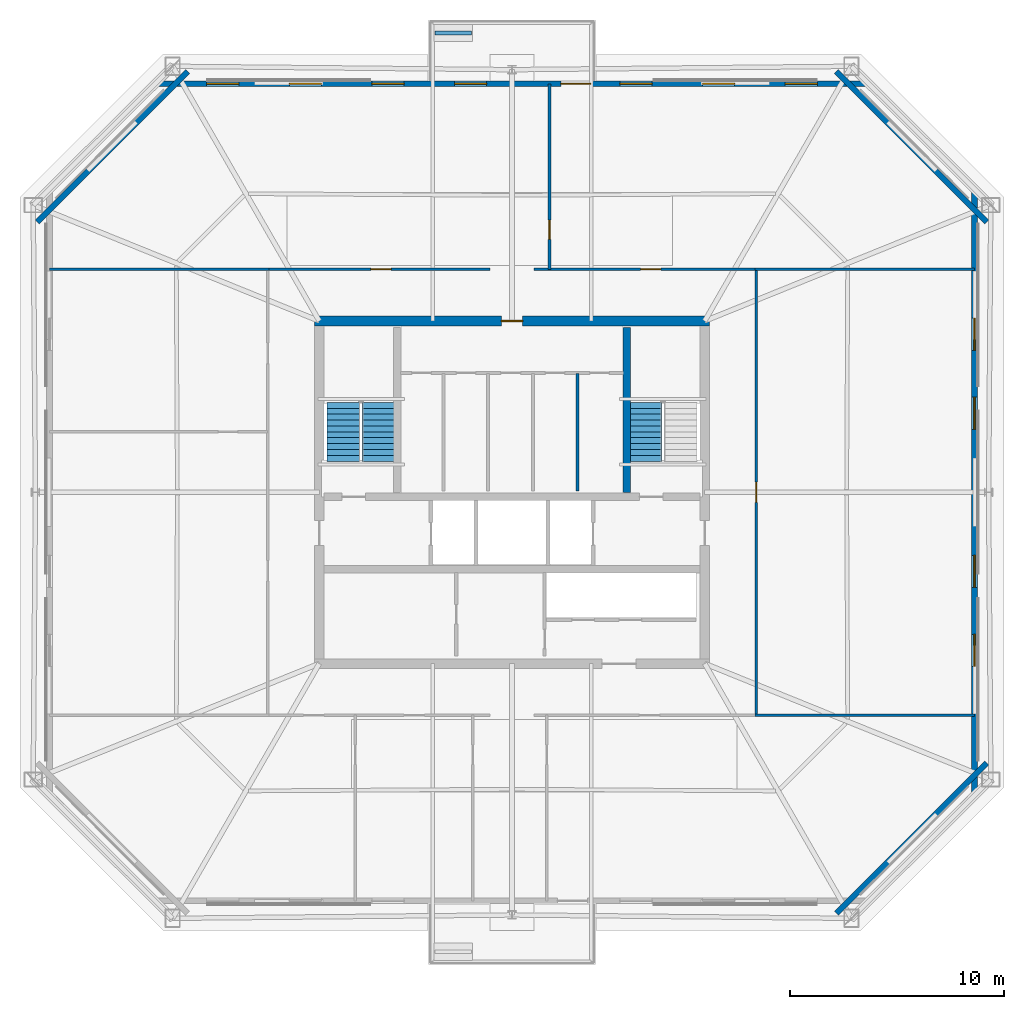
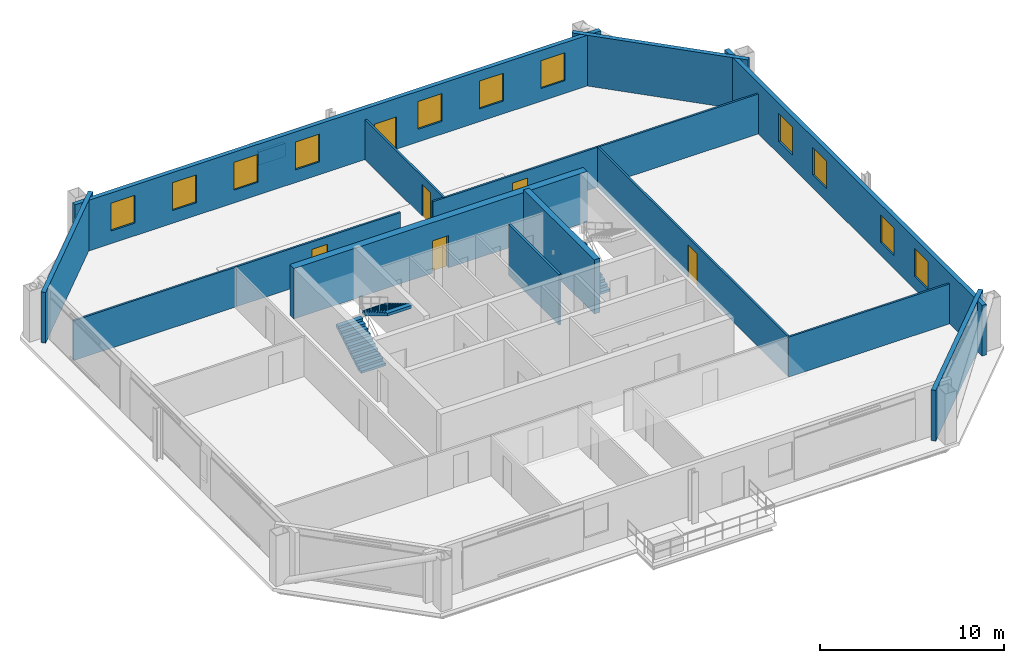
# One storey, part 4 of 7: 16 walls, 11 windows, 6 doors, 3 stair flights, 17 openings, 2 elements without a shape of their own.
"""IFC4 building model written with IfcOpenShell, lengths in metres."""

from ifc_helpers import new_model, si_unit, direction, frame, frame_2d, origin, place, context, subcontext, project, spatial, polyline, rectangle, outline, extrude, material, layer, layer_set, type_object, element, fill, aggregate, save


model = new_model("IFC4")

# Units and contexts
model_context = context("Model", 3, precision=1e-05, world=origin(), true_north=direction((0.0, 1.0)))
body_context = subcontext(model_context, "Body", "Model", "MODEL_VIEW")
ifc_project = project(units=[si_unit("LENGTHUNIT", "METRE"), si_unit("AREAUNIT", "SQUARE_METRE"), si_unit("VOLUMEUNIT", "CUBIC_METRE"), si_unit("PLANEANGLEUNIT", "RADIAN"), si_unit("MASSUNIT", "GRAM", prefix="KILO")], contexts=[model_context])

# Site, building, storey
site_placement = place(None, origin())
site = spatial("IfcSite", under=ifc_project, at=site_placement, CompositionType="ELEMENT")
building_placement = place(site_placement, origin())
building = spatial("IfcBuilding", under=site, at=building_placement, Name="Caelvoria Tower", CompositionType="ELEMENT")
storey_placement = place(building_placement, frame((0.0, 0.0, 191.39990234375)))
storey = spatial("IfcBuildingStorey", under=building, at=storey_placement, Name="L50", CompositionType="ELEMENT", Elevation=191.39990234375)

# Walls
ifc_material_1 = material(Name="Bronze-Clad Concrete C40/50", Category="concrete")
ifc_layer_1 = layer(ifc_material_1, 0.179931640625, Name="Bronze-Clad Concrete C40/50")
ifc_layer_set_1 = layer_set([ifc_layer_1], Name="Architectural Planter Kerb Wall 180 - Bronze-Clad Concrete C40/50")
wall_type_1 = type_object("IfcWallType", Name="Architectural Planter Kerb Wall 180", PredefinedType="PARAPET", material=ifc_layer_set_1)
wall_1_placement = place(storey_placement, frame((42.39990234375, 53.4599609375, 0.0), z_axis=(0.0, 0.0, 1.0), x_axis=(1.0, 0.0, 0.0)))
element("IfcWall", 1, at=wall_1_placement, inside=storey, type_object=wall_type_1, Name="Tree Balcony Planter Kerb PLANTER TB-L50-N", PredefinedType="PARAPET", context=body_context, shape_type="SweptSolid", body=[
    extrude(rectangle(XDim=1.7001953125, YDim=0.179931640625, at=frame_2d((0.85009765625, 0.0))), origin(), (0.0, 0.0, 1.0), 0.880126953125),
])
ifc_material_2 = material(Name="Concrete C50/60", Category="concrete")
ifc_layer_2 = layer(ifc_material_2, 0.35009765625, Name="Concrete C50/60")
ifc_layer_set_2 = layer_set([ifc_layer_2], Name="Core Internal Shear Wall 350 - Concrete C50/60")
wall_type_2 = type_object("IfcWallType", Name="Core Internal Shear Wall 350", PredefinedType="SHEAR", material=ifc_layer_set_2)
wall_2_placement = place(storey_placement, frame((51.35009765625, 32.0, 0.0), z_axis=(0.0, 0.0, 1.0), x_axis=(0.0, 1.0, 0.0)))
element("IfcWall", 2, at=wall_2_placement, inside=storey, type_object=wall_type_2, Name="Interior Partition IW-L50-ST2W", PredefinedType="SHEAR", context=body_context, shape_type="SweptSolid", body=[
    extrude(rectangle(XDim=7.699951171875, YDim=0.35009765625, at=frame_2d((3.85009765625, 0.0))), origin(), (0.0, 0.0, 1.0), 3.60009765625),
])
ifc_material_3 = material(Name="Moisture-Resistant Gypsum on Steel Stud", Category="steel")
ifc_layer_3 = layer(ifc_material_3, 0.139892578125, Name="Moisture-Resistant Gypsum on Steel Stud")
ifc_layer_set_3 = layer_set([ifc_layer_3], Name="Core Sanitary Acoustic Partition Wall 140 - Moisture-Resistant Gypsum on Steel Stud")
wall_type_3 = type_object("IfcWallType", Name="Core Sanitary Acoustic Partition Wall 140", PredefinedType="PARTITIONING", material=ifc_layer_set_3)
wall_3_placement = place(storey_placement, frame((49.050048828125, 32.050048828125, 0.0), z_axis=(0.0, 0.0, 1.0), x_axis=(0.0, 1.0, 0.0)))
element("IfcWall", 3, at=wall_3_placement, inside=storey, type_object=wall_type_3, Name="Interior Partition IW-L50-C1V3", PredefinedType="PARTITIONING", context=body_context, shape_type="SweptSolid", body=[
    extrude(rectangle(XDim=5.5, YDim=0.139892578125, at=frame_2d((2.75, 0.0))), origin(), (0.0, 0.0, 1.0), 3.375),
])

# Wall, opening, door
ifc_material_4 = material(Name="Acoustic Gypsum Board on Light-Gauge Stud", Category="gypsum")
ifc_layer_4 = layer(ifc_material_4, 0.1201171875, Name="Acoustic Gypsum Board on Light-Gauge Stud")
ifc_layer_set_4 = layer_set([ifc_layer_4], Name="Tenant Suite Acoustic Partition Wall 120 - Acoustic Gypsum Board on Light-Gauge Stud")
wall_type_4 = type_object("IfcWallType", Name="Tenant Suite Acoustic Partition Wall 120", PredefinedType="PARTITIONING", material=ifc_layer_set_4)
wall_4_placement = place(storey_placement, frame((47.75146484375, 42.409912109375, 0.0), z_axis=(0.0, 0.0, 1.0), x_axis=(0.0, 1.0, 0.0)))
wall_4 = element("IfcWall", 4, at=wall_4_placement, inside=storey, type_object=wall_type_4, Name="Interior Partition IW-L50-ND-00-0", PredefinedType="PARTITIONING", context=body_context, shape_type="SweptSolid", body=[
    extrude(rectangle(XDim=8.670166015625, YDim=0.1201171875, at=frame_2d((4.3349609375, 0.0))), origin(), (0.0, 0.0, 1.0), 2.655029296875),
])
opening_1_placement = place(wall_4_placement, frame((1.39990234375, 0.0, 0.0)))
opening_1 = element("IfcOpeningElement", 5, at=opening_1_placement, cuts=wall_4, Name="Opening ID-06", PredefinedType="OPENING", context=body_context, shape_type="SweptSolid", body=[
    extrude(rectangle(XDim=0.89990234375, YDim=2.14990234375, at=frame_2d((0.449951171875, 1.074951171875))), frame((0.0, 0.070068359375, 0.0), z_axis=(0.0, -1.0, 0.0), x_axis=(1.0, 0.0, 0.0)), (0.0, 0.0, 1.0), 0.14013671875),
])
ifc_material_5 = material(Name="Engineered Andean Oak Veneer Door", Category="wood")
door_type_1 = type_object("IfcDoorType", Name="Interior Timber Door 900x2150", OperationType="NOTDEFINED", PredefinedType="DOOR", material=ifc_material_5)
door_1_placement = place(opening_1_placement, origin())
door_1 = element("IfcDoor", 6, at=door_1_placement, inside=storey, type_object=door_type_1, Name="Interior Door DR-L50-NM-00-0", OperationType="SINGLE_SWING_RIGHT", OverallHeight=2.14990234375, OverallWidth=0.89990234375, PredefinedType="DOOR", context=body_context, shape_type="SweptSolid", body=[
    extrude(rectangle(XDim=0.89990234375, YDim=2.14990234375, at=frame_2d((0.449951171875, 1.074951171875))), frame((0.0, 0.02490234375, 0.0), z_axis=(0.0, -1.0, 0.0), x_axis=(1.0, 0.0, 0.0)), (0.0, 0.0, 1.0), 0.050048828125),
])
fill(opening_1, door_1)

wall_5_placement = place(storey_placement, frame((34.64990234375, 42.409912109375, 0.0), z_axis=(0.0, 0.0, 1.0), x_axis=(1.0, 0.0, 0.0)))
wall_5 = element("IfcWall", 7, at=wall_5_placement, inside=storey, type_object=wall_type_4, Name="Interior Partition IW-L50-NCW-0", PredefinedType="PARTITIONING", context=body_context, shape_type="SweptSolid", body=[
    extrude(rectangle(XDim=10.330078125, YDim=0.1201171875, at=frame_2d((5.1650390625, 0.0))), origin(), (0.0, 0.0, 1.0), 2.655029296875),
])
opening_2_placement = place(wall_5_placement, frame((4.760009765625, 0.0, 0.0)))
opening_2 = element("IfcOpeningElement", 8, at=opening_2_placement, cuts=wall_5, Name="Opening ID-05", PredefinedType="OPENING", context=body_context, shape_type="SweptSolid", body=[
    extrude(rectangle(XDim=0.949951171875, YDim=2.14990234375, at=frame_2d((0.47509765625, 1.074951171875))), frame((0.0, 0.070068359375, 0.0), z_axis=(0.0, -1.0, 0.0), x_axis=(1.0, 0.0, 0.0)), (0.0, 0.0, 1.0), 0.14013671875),
])
door_type_2 = type_object("IfcDoorType", Name="Interior Timber Door 950x2150", OperationType="NOTDEFINED", PredefinedType="DOOR", material=ifc_material_5)
door_2_placement = place(opening_2_placement, origin())
door_2 = element("IfcDoor", 9, at=door_2_placement, inside=storey, type_object=door_type_2, Name="Interior Door DR-L50-NC-00-0", OperationType="SINGLE_SWING_LEFT", OverallHeight=2.14990234375, OverallWidth=0.949951171875, PredefinedType="DOOR", context=body_context, shape_type="SweptSolid", body=[
    extrude(rectangle(XDim=0.949951171875, YDim=2.14990234375, at=frame_2d((0.47509765625, 1.074951171875))), frame((0.0, 0.02490234375, 0.0), z_axis=(0.0, -1.0, 0.0), x_axis=(1.0, 0.0, 0.0)), (0.0, 0.0, 1.0), 0.050048828125),
])
fill(opening_2, door_2)

wall_6_placement = place(storey_placement, frame((47.02001953125, 42.409912109375, 0.0), z_axis=(0.0, 0.0, 1.0), x_axis=(1.0, 0.0, 0.0)))
wall_6 = element("IfcWall", 10, at=wall_6_placement, inside=storey, type_object=wall_type_4, Name="Interior Partition IW-L50-NCW-1", PredefinedType="PARTITIONING", context=body_context, shape_type="SweptSolid", body=[
    extrude(rectangle(XDim=10.330078125, YDim=0.1201171875, at=frame_2d((5.1650390625, 0.0))), origin(), (0.0, 0.0, 1.0), 2.655029296875),
])
opening_3_placement = place(wall_6_placement, frame((4.985595703125, 0.0, 0.0)))
opening_3 = element("IfcOpeningElement", 11, at=opening_3_placement, cuts=wall_6, Name="Opening ID-05", PredefinedType="OPENING", context=body_context, shape_type="SweptSolid", body=[
    extrude(rectangle(XDim=0.949951171875, YDim=2.14990234375, at=frame_2d((0.47509765625, 1.074951171875))), frame((0.0, 0.070068359375, 0.0), z_axis=(0.0, -1.0, 0.0), x_axis=(1.0, 0.0, 0.0)), (0.0, 0.0, 1.0), 0.14013671875),
])
door_3_placement = place(opening_3_placement, origin())
door_3 = element("IfcDoor", 12, at=door_3_placement, inside=storey, type_object=door_type_2, Name="Interior Door DR-L50-NC-01-0", OperationType="SINGLE_SWING_RIGHT", OverallHeight=2.14990234375, OverallWidth=0.949951171875, PredefinedType="DOOR", context=body_context, shape_type="SweptSolid", body=[
    extrude(rectangle(XDim=0.949951171875, YDim=2.14990234375, at=frame_2d((0.47509765625, 1.074951171875))), frame((0.0, 0.02490234375, 0.0), z_axis=(0.0, -1.0, 0.0), x_axis=(1.0, 0.0, 0.0)), (0.0, 0.0, 1.0), 0.050048828125),
])
fill(opening_3, door_3)

wall_7_placement = place(storey_placement, frame((57.409912109375, 21.64990234375, 0.0), z_axis=(0.0, 0.0, 1.0), x_axis=(0.0, 1.0, 0.0)))
wall_7 = element("IfcWall", 13, at=wall_7_placement, inside=storey, type_object=wall_type_4, Name="Interior Partition IW-L50-ECW-0", PredefinedType="PARTITIONING", context=body_context, shape_type="SweptSolid", body=[
    extrude(rectangle(XDim=20.7001953125, YDim=0.1201171875, at=frame_2d((10.35009765625, 0.0))), origin(), (0.0, 0.0, 1.0), 2.655029296875),
])
opening_4_placement = place(wall_7_placement, frame((9.875, 0.0, 0.0)))
opening_4 = element("IfcOpeningElement", 14, at=opening_4_placement, cuts=wall_7, Name="Opening ID-05", PredefinedType="OPENING", context=body_context, shape_type="SweptSolid", body=[
    extrude(rectangle(XDim=0.949951171875, YDim=2.14990234375, at=frame_2d((0.47509765625, 1.074951171875))), frame((0.0, 0.070068359375, 0.0), z_axis=(0.0, -1.0, 0.0), x_axis=(1.0, 0.0, 0.0)), (0.0, 0.0, 1.0), 0.14013671875),
])
door_4_placement = place(opening_4_placement, origin())
door_4 = element("IfcDoor", 15, at=door_4_placement, inside=storey, type_object=door_type_2, Name="Interior Door DR-L50-EC-00-0", OperationType="SINGLE_SWING_LEFT", OverallHeight=2.14990234375, OverallWidth=0.949951171875, PredefinedType="DOOR", context=body_context, shape_type="SweptSolid", body=[
    extrude(rectangle(XDim=0.949951171875, YDim=2.14990234375, at=frame_2d((0.47509765625, 1.074951171875))), frame((0.0, 0.02490234375, 0.0), z_axis=(0.0, -1.0, 0.0), x_axis=(1.0, 0.0, 0.0)), (0.0, 0.0, 1.0), 0.050048828125),
])
fill(opening_4, door_4)

# Walls
for number, where, z_axis, x_axis, name in (
    (16, (57.35009765625, 21.590087890625, 0.0), (0.0, 0.0, 1.0), (1.0, 0.0, 0.0), "Interior Partition IW-L50-BSE-0"),
    (17, (34.64990234375, 42.409912109375, 0.0), (0.0, 0.0, 1.0), (-1.0, 0.0, 0.0), "Interior Partition IW-L50-BNW-0"),
    (18, (57.35009765625, 42.409912109375, 0.0), (0.0, 0.0, 1.0), (1.0, 0.0, 0.0), "Interior Partition IW-L50-BNE-0"),
):
    element("IfcWall", number, at=place(storey_placement, frame(where, z_axis=z_axis, x_axis=x_axis)), inside=storey, type_object=wall_type_4, Name=name, PredefinedType="PARTITIONING", context=body_context, shape_type="SweptSolid", body=[
        extrude(rectangle(XDim=10.25, YDim=0.1201171875, at=frame_2d((5.125, 0.0))), origin(), (0.0, 0.0, 1.0), 2.655029296875),
    ])

# Wall, opening, door
ifc_layer_5 = layer(ifc_material_2, 0.449951171875, Name="Concrete C50/60")
ifc_layer_set_5 = layer_set([ifc_layer_5], Name="Upper Core Shear Wall 450 - Concrete C50/60")
wall_type_5 = type_object("IfcWallType", Name="Upper Core Shear Wall 450", PredefinedType="SHEAR", material=ifc_layer_set_5)
wall_8_placement = place(storey_placement, frame((36.77490234375, 40.0, 0.0), z_axis=(0.0, 0.0, 1.0), x_axis=(1.0, 0.0, 0.0)))
wall_8 = element("IfcWall", 19, at=wall_8_placement, inside=storey, type_object=wall_type_5, Name="Core Shear Wall L50 N", PredefinedType="SHEAR", context=body_context, shape_type="SweptSolid", body=[
    extrude(rectangle(XDim=18.4501953125, YDim=0.449951171875, at=frame_2d((9.22509765625, 0.0))), origin(), (0.0, 0.0, 1.0), 3.360107421875),
])
opening_5_placement = place(wall_8_placement, frame((8.72509765625, 0.0, 0.0)))
opening_5 = element("IfcOpeningElement", 20, at=opening_5_placement, cuts=wall_8, Name="Opening ID-03", PredefinedType="OPENING", context=body_context, shape_type="SweptSolid", body=[
    extrude(rectangle(XDim=1.0, YDim=2.14990234375, at=frame_2d((0.5, 1.074951171875))), frame((0.0, 0.23486328125, 0.0), z_axis=(0.0, -1.0, 0.0), x_axis=(1.0, 0.0, 0.0)), (0.0, 0.0, 1.0), 0.469970703125),
])
ifc_material_6 = material(Name="Painted Hollow Steel Fire Door", Category="steel")
door_type_3 = type_object("IfcDoorType", Name="Fire Door FD60S 1000x2150", OperationType="NOTDEFINED", PredefinedType="DOOR", material=ifc_material_6)
door_5_placement = place(opening_5_placement, origin())
door_5 = element("IfcDoor", 21, at=door_5_placement, inside=storey, type_object=door_type_3, Name="Core Door DR-L50-WC-MAIN", OperationType="SINGLE_SWING_RIGHT", OverallHeight=2.14990234375, OverallWidth=1.0, PredefinedType="DOOR", context=body_context, shape_type="SweptSolid", body=[
    extrude(rectangle(XDim=1.0, YDim=2.14990234375, at=frame_2d((0.5, 1.074951171875))), frame((0.0, 0.02490234375, 0.0), z_axis=(0.0, -1.0, 0.0), x_axis=(1.0, 0.0, 0.0)), (0.0, 0.0, 1.0), 0.050048828125),
])
fill(opening_5, door_5)

# Wall
ifc_material_7 = material(Name="Precast Concrete C40/50 with Bronze Cladding", Category="concrete")
ifc_layer_6 = layer(ifc_material_7, 0.264892578125, Name="Precast Concrete C40/50 with Bronze Cladding")
ifc_layer_set_6 = layer_set([ifc_layer_6], Name="Upper Taper Precast Concrete C40/50 Bronze Facade Wall 265 - Precast Concrete C40/50 with Bronze Cladding")
wall_type_6 = type_object("IfcWallType", Name="Upper Taper Precast Concrete C40/50 Bronze Facade Wall 265", PredefinedType="STANDARD", material=ifc_layer_set_6)
wall_9_placement = place(storey_placement, frame((61.154541015625, 12.34619140625, 0.0), z_axis=(0.0, 0.0, 1.0), x_axis=(0.707106781187, 0.707106781187, 0.0)))
element("IfcWall", 22, at=wall_9_placement, inside=storey, type_object=wall_type_6, Name="Exterior Facade Wall L50-E1", PredefinedType="STANDARD", context=body_context, shape_type="SweptSolid", body=[
    extrude(rectangle(XDim=9.9267578125, YDim=0.264892578125, at=frame_2d((4.96337890625, 0.0))), origin(), (0.0, 0.0, 1.0), 3.375),
])

# Wall, openings, windows
wall_10_placement = place(storey_placement, frame((67.60009765625, 17.97998046875, 0.0), z_axis=(0.0, 0.0, 1.0), x_axis=(0.0, 1.0, 0.0)))
wall_10 = element("IfcWall", 23, at=wall_10_placement, inside=storey, type_object=wall_type_6, Name="Exterior Facade Wall L50-E2", PredefinedType="STANDARD", context=body_context, shape_type="SweptSolid", body=[
    extrude(rectangle(XDim=28.0400390625, YDim=0.264892578125, at=frame_2d((14.02001953125, 0.0))), origin(), (0.0, 0.0, 1.0), 3.375),
])
opening_6_placement = place(wall_10_placement, frame((5.88720703125, 0.0, 0.85009765625)))
opening_6 = element("IfcOpeningElement", 24, at=opening_6_placement, cuts=wall_10, Name="Opening WN-03", PredefinedType="OPENING", context=body_context, shape_type="SweptSolid", body=[
    extrude(rectangle(XDim=1.5, YDim=1.85009765625, at=frame_2d((0.75, 0.925048828125))), frame((0.0, 0.142333984375, 0.0), z_axis=(0.0, -1.0, 0.0), x_axis=(1.0, 0.0, 0.0)), (0.0, 0.0, 1.0), 0.284912109375),
])
opening_7_placement = place(wall_10_placement, frame((9.57861328125, 0.0, 0.85009765625)))
opening_7 = element("IfcOpeningElement", 25, at=opening_7_placement, cuts=wall_10, Name="Opening WN-03", PredefinedType="OPENING", context=body_context, shape_type="SweptSolid", body=[
    extrude(rectangle(XDim=1.5, YDim=1.85009765625, at=frame_2d((0.75, 0.925048828125))), frame((0.0, 0.142333984375, 0.0), z_axis=(0.0, -1.0, 0.0), x_axis=(1.0, 0.0, 0.0)), (0.0, 0.0, 1.0), 0.284912109375),
])
opening_8_placement = place(wall_10_placement, frame((16.96142578125, 0.0, 0.85009765625)))
opening_8 = element("IfcOpeningElement", 26, at=opening_8_placement, cuts=wall_10, Name="Opening WN-03", PredefinedType="OPENING", context=body_context, shape_type="SweptSolid", body=[
    extrude(rectangle(XDim=1.5, YDim=1.85009765625, at=frame_2d((0.75, 0.925048828125))), frame((0.0, 0.142333984375, 0.0), z_axis=(0.0, -1.0, 0.0), x_axis=(1.0, 0.0, 0.0)), (0.0, 0.0, 1.0), 0.284912109375),
])
opening_9_placement = place(wall_10_placement, frame((20.65283203125, 0.0, 0.85009765625)))
opening_9 = element("IfcOpeningElement", 27, at=opening_9_placement, cuts=wall_10, Name="Opening WN-03", PredefinedType="OPENING", context=body_context, shape_type="SweptSolid", body=[
    extrude(rectangle(XDim=1.5, YDim=1.85009765625, at=frame_2d((0.75, 0.925048828125))), frame((0.0, 0.142333984375, 0.0), z_axis=(0.0, -1.0, 0.0), x_axis=(1.0, 0.0, 0.0)), (0.0, 0.0, 1.0), 0.284912109375),
])
ifc_material_8 = material(Name="Low-E Tinted Glass in Bronze Aluminium Frame", Category="aluminium")
window_type = type_object("IfcWindowType", Name="Upper Taper Vision Window 1500x1850", PartitioningType="SINGLE_PANEL", PredefinedType="WINDOW", material=ifc_material_8)
window_1_placement = place(opening_6_placement, origin())
window_1 = element("IfcWindow", 28, at=window_1_placement, inside=storey, type_object=window_type, Name="Facade Window L50-E2-01", OverallHeight=1.85009765625, OverallWidth=1.5, PartitioningType="SINGLE_PANEL", PredefinedType="WINDOW", context=body_context, shape_type="SweptSolid", body=[
    extrude(rectangle(XDim=1.5, YDim=1.85009765625, at=frame_2d((0.75, 0.925048828125))), frame((0.0, 0.030029296875, 0.0), z_axis=(0.0, -1.0, 0.0), x_axis=(1.0, 0.0, 0.0)), (0.0, 0.0, 1.0), 0.06005859375),
])
fill(opening_6, window_1)
window_2_placement = place(opening_7_placement, origin())
window_2 = element("IfcWindow", 29, at=window_2_placement, inside=storey, type_object=window_type, Name="Facade Window L50-E2-02", OverallHeight=1.85009765625, OverallWidth=1.5, PartitioningType="SINGLE_PANEL", PredefinedType="WINDOW", context=body_context, shape_type="SweptSolid", body=[
    extrude(rectangle(XDim=1.5, YDim=1.85009765625, at=frame_2d((0.75, 0.925048828125))), frame((0.0, 0.030029296875, 0.0), z_axis=(0.0, -1.0, 0.0), x_axis=(1.0, 0.0, 0.0)), (0.0, 0.0, 1.0), 0.06005859375),
])
fill(opening_7, window_2)
window_3_placement = place(opening_8_placement, origin())
window_3 = element("IfcWindow", 30, at=window_3_placement, inside=storey, type_object=window_type, Name="Facade Window L50-E2-04", OverallHeight=1.85009765625, OverallWidth=1.5, PartitioningType="SINGLE_PANEL", PredefinedType="WINDOW", context=body_context, shape_type="SweptSolid", body=[
    extrude(rectangle(XDim=1.5, YDim=1.85009765625, at=frame_2d((0.75, 0.925048828125))), frame((0.0, 0.030029296875, 0.0), z_axis=(0.0, -1.0, 0.0), x_axis=(1.0, 0.0, 0.0)), (0.0, 0.0, 1.0), 0.06005859375),
])
fill(opening_8, window_3)
window_4_placement = place(opening_9_placement, origin())
window_4 = element("IfcWindow", 31, at=window_4_placement, inside=storey, type_object=window_type, Name="Facade Window L50-E2-05", OverallHeight=1.85009765625, OverallWidth=1.5, PartitioningType="SINGLE_PANEL", PredefinedType="WINDOW", context=body_context, shape_type="SweptSolid", body=[
    extrude(rectangle(XDim=1.5, YDim=1.85009765625, at=frame_2d((0.75, 0.925048828125))), frame((0.0, 0.030029296875, 0.0), z_axis=(0.0, -1.0, 0.0), x_axis=(1.0, 0.0, 0.0)), (0.0, 0.0, 1.0), 0.06005859375),
])
fill(opening_9, window_4)

# Wall
wall_11_placement = place(storey_placement, frame((68.173828125, 44.634521484375, 0.0), z_axis=(0.0, 0.0, 1.0), x_axis=(-0.707106781187, 0.707106781187, 0.0)))
element("IfcWall", 32, at=wall_11_placement, inside=storey, type_object=wall_type_6, Name="Exterior Facade Wall L50-E3", PredefinedType="STANDARD", context=body_context, shape_type="SweptSolid", body=[
    extrude(rectangle(XDim=9.9267578125, YDim=0.264892578125, at=frame_2d((4.96337890625, 0.0))), origin(), (0.0, 0.0, 1.0), 3.375),
])

# Wall, openings, door, windows
wall_12_placement = place(storey_placement, frame((62.5400390625, 51.080078125, 0.0), z_axis=(0.0, 0.0, 1.0), x_axis=(-1.0, 0.0, 0.0)))
wall_12 = element("IfcWall", 33, at=wall_12_placement, inside=storey, type_object=wall_type_6, Name="Exterior Facade Wall L50-E4", PredefinedType="STANDARD", context=body_context, shape_type="SweptSolid", body=[
    extrude(rectangle(XDim=33.080078125, YDim=0.264892578125, at=frame_2d((16.5400390625, 0.0))), origin(), (0.0, 0.0, 1.0), 3.375),
])
opening_10_placement = place(wall_12_placement, frame((12.860107421875, 0.0, 0.0)))
opening_10 = element("IfcOpeningElement", 34, at=opening_10_placement, cuts=wall_12, Name="Opening ED-04", PredefinedType="OPENING", context=body_context, shape_type="SweptSolid", body=[
    extrude(rectangle(XDim=1.39990234375, YDim=2.14990234375, at=frame_2d((0.699951171875, 1.074951171875))), frame((0.0, 0.142333984375, 0.0), z_axis=(0.0, -1.0, 0.0), x_axis=(1.0, 0.0, 0.0)), (0.0, 0.0, 1.0), 0.284912109375),
])
opening_11_placement = place(wall_12_placement, frame((2.280029296875, 0.0, 0.85009765625)))
opening_11 = element("IfcOpeningElement", 35, at=opening_11_placement, cuts=wall_12, Name="Opening WN-03", PredefinedType="OPENING", context=body_context, shape_type="SweptSolid", body=[
    extrude(rectangle(XDim=1.5, YDim=1.85009765625, at=frame_2d((0.75, 0.925048828125))), frame((0.0, 0.142333984375, 0.0), z_axis=(0.0, -1.0, 0.0), x_axis=(1.0, 0.0, 0.0)), (0.0, 0.0, 1.0), 0.284912109375),
])
opening_12_placement = place(wall_12_placement, frame((6.139892578125, 0.0, 0.85009765625)))
opening_12 = element("IfcOpeningElement", 36, at=opening_12_placement, cuts=wall_12, Name="Opening WN-03", PredefinedType="OPENING", context=body_context, shape_type="SweptSolid", body=[
    extrude(rectangle(XDim=1.5, YDim=1.85009765625, at=frame_2d((0.75, 0.925048828125))), frame((0.0, 0.142333984375, 0.0), z_axis=(0.0, -1.0, 0.0), x_axis=(1.0, 0.0, 0.0)), (0.0, 0.0, 1.0), 0.284912109375),
])
opening_13_placement = place(wall_12_placement, frame((10.0, 0.0, 0.85009765625)))
opening_13 = element("IfcOpeningElement", 37, at=opening_13_placement, cuts=wall_12, Name="Opening WN-03", PredefinedType="OPENING", context=body_context, shape_type="SweptSolid", body=[
    extrude(rectangle(XDim=1.5, YDim=1.85009765625, at=frame_2d((0.75, 0.925048828125))), frame((0.0, 0.142333984375, 0.0), z_axis=(0.0, -1.0, 0.0), x_axis=(1.0, 0.0, 0.0)), (0.0, 0.0, 1.0), 0.284912109375),
])
opening_14_placement = place(wall_12_placement, frame((17.719970703125, 0.0, 0.85009765625)))
opening_14 = element("IfcOpeningElement", 38, at=opening_14_placement, cuts=wall_12, Name="Opening WN-03", PredefinedType="OPENING", context=body_context, shape_type="SweptSolid", body=[
    extrude(rectangle(XDim=1.5, YDim=1.85009765625, at=frame_2d((0.75, 0.925048828125))), frame((0.0, 0.142333984375, 0.0), z_axis=(0.0, -1.0, 0.0), x_axis=(1.0, 0.0, 0.0)), (0.0, 0.0, 1.0), 0.284912109375),
])
opening_15_placement = place(wall_12_placement, frame((21.580078125, 0.0, 0.85009765625)))
opening_15 = element("IfcOpeningElement", 39, at=opening_15_placement, cuts=wall_12, Name="Opening WN-03", PredefinedType="OPENING", context=body_context, shape_type="SweptSolid", body=[
    extrude(rectangle(XDim=1.5, YDim=1.85009765625, at=frame_2d((0.75, 0.925048828125))), frame((0.0, 0.142333984375, 0.0), z_axis=(0.0, -1.0, 0.0), x_axis=(1.0, 0.0, 0.0)), (0.0, 0.0, 1.0), 0.284912109375),
])
opening_16_placement = place(wall_12_placement, frame((25.43994140625, 0.0, 0.85009765625)))
opening_16 = element("IfcOpeningElement", 40, at=opening_16_placement, cuts=wall_12, Name="Opening WN-03", PredefinedType="OPENING", context=body_context, shape_type="SweptSolid", body=[
    extrude(rectangle(XDim=1.5, YDim=1.85009765625, at=frame_2d((0.75, 0.925048828125))), frame((0.0, 0.142333984375, 0.0), z_axis=(0.0, -1.0, 0.0), x_axis=(1.0, 0.0, 0.0)), (0.0, 0.0, 1.0), 0.284912109375),
])
opening_17_placement = place(wall_12_placement, frame((29.300048828125, 0.0, 0.85009765625)))
opening_17 = element("IfcOpeningElement", 41, at=opening_17_placement, cuts=wall_12, Name="Opening WN-03", PredefinedType="OPENING", context=body_context, shape_type="SweptSolid", body=[
    extrude(rectangle(XDim=1.5, YDim=1.85009765625, at=frame_2d((0.75, 0.925048828125))), frame((0.0, 0.142333984375, 0.0), z_axis=(0.0, -1.0, 0.0), x_axis=(1.0, 0.0, 0.0)), (0.0, 0.0, 1.0), 0.284912109375),
])
ifc_material_9 = material(Name="Anodised Bronze Aluminium and Laminated Glass", Category="aluminium")
door_type_4 = type_object("IfcDoorType", Name="Tree Balcony Glazed Door 1400x2150", OperationType="NOTDEFINED", PredefinedType="DOOR", material=ifc_material_9)
door_6_placement = place(opening_10_placement, origin())
door_6 = element("IfcDoor", 42, at=door_6_placement, inside=storey, type_object=door_type_4, Name="Tree Balcony Door L50-N", OperationType="SINGLE_SWING_LEFT", OverallHeight=2.14990234375, OverallWidth=1.39990234375, PredefinedType="DOOR", context=body_context, shape_type="SweptSolid", body=[
    extrude(rectangle(XDim=1.39990234375, YDim=2.14990234375, at=frame_2d((0.699951171875, 1.074951171875))), frame((0.0, 0.02490234375, 0.0), z_axis=(0.0, -1.0, 0.0), x_axis=(1.0, 0.0, 0.0)), (0.0, 0.0, 1.0), 0.050048828125),
])
fill(opening_10, door_6)
window_5_placement = place(opening_11_placement, origin())
window_5 = element("IfcWindow", 43, at=window_5_placement, inside=storey, type_object=window_type, Name="Facade Window L50-E4-00", OverallHeight=1.85009765625, OverallWidth=1.5, PartitioningType="SINGLE_PANEL", PredefinedType="WINDOW", context=body_context, shape_type="SweptSolid", body=[
    extrude(rectangle(XDim=1.5, YDim=1.85009765625, at=frame_2d((0.75, 0.925048828125))), frame((0.0, 0.030029296875, 0.0), z_axis=(0.0, -1.0, 0.0), x_axis=(1.0, 0.0, 0.0)), (0.0, 0.0, 1.0), 0.06005859375),
])
fill(opening_11, window_5)
window_6_placement = place(opening_12_placement, origin())
window_6 = element("IfcWindow", 44, at=window_6_placement, inside=storey, type_object=window_type, Name="Facade Window L50-E4-01", OverallHeight=1.85009765625, OverallWidth=1.5, PartitioningType="SINGLE_PANEL", PredefinedType="WINDOW", context=body_context, shape_type="SweptSolid", body=[
    extrude(rectangle(XDim=1.5, YDim=1.85009765625, at=frame_2d((0.75, 0.925048828125))), frame((0.0, 0.030029296875, 0.0), z_axis=(0.0, -1.0, 0.0), x_axis=(1.0, 0.0, 0.0)), (0.0, 0.0, 1.0), 0.06005859375),
])
fill(opening_12, window_6)
window_7_placement = place(opening_13_placement, origin())
window_7 = element("IfcWindow", 45, at=window_7_placement, inside=storey, type_object=window_type, Name="Facade Window L50-E4-02", OverallHeight=1.85009765625, OverallWidth=1.5, PartitioningType="SINGLE_PANEL", PredefinedType="WINDOW", context=body_context, shape_type="SweptSolid", body=[
    extrude(rectangle(XDim=1.5, YDim=1.85009765625, at=frame_2d((0.75, 0.925048828125))), frame((0.0, 0.030029296875, 0.0), z_axis=(0.0, -1.0, 0.0), x_axis=(1.0, 0.0, 0.0)), (0.0, 0.0, 1.0), 0.06005859375),
])
fill(opening_13, window_7)
window_8_placement = place(opening_14_placement, origin())
window_8 = element("IfcWindow", 46, at=window_8_placement, inside=storey, type_object=window_type, Name="Facade Window L50-E4-04", OverallHeight=1.85009765625, OverallWidth=1.5, PartitioningType="SINGLE_PANEL", PredefinedType="WINDOW", context=body_context, shape_type="SweptSolid", body=[
    extrude(rectangle(XDim=1.5, YDim=1.85009765625, at=frame_2d((0.75, 0.925048828125))), frame((0.0, 0.030029296875, 0.0), z_axis=(0.0, -1.0, 0.0), x_axis=(1.0, 0.0, 0.0)), (0.0, 0.0, 1.0), 0.06005859375),
])
fill(opening_14, window_8)
window_9_placement = place(opening_15_placement, origin())
window_9 = element("IfcWindow", 47, at=window_9_placement, inside=storey, type_object=window_type, Name="Facade Window L50-E4-05", OverallHeight=1.85009765625, OverallWidth=1.5, PartitioningType="SINGLE_PANEL", PredefinedType="WINDOW", context=body_context, shape_type="SweptSolid", body=[
    extrude(rectangle(XDim=1.5, YDim=1.85009765625, at=frame_2d((0.75, 0.925048828125))), frame((0.0, 0.030029296875, 0.0), z_axis=(0.0, -1.0, 0.0), x_axis=(1.0, 0.0, 0.0)), (0.0, 0.0, 1.0), 0.06005859375),
])
fill(opening_15, window_9)
window_10_placement = place(opening_16_placement, origin())
window_10 = element("IfcWindow", 48, at=window_10_placement, inside=storey, type_object=window_type, Name="Facade Window L50-E4-06", OverallHeight=1.85009765625, OverallWidth=1.5, PartitioningType="SINGLE_PANEL", PredefinedType="WINDOW", context=body_context, shape_type="SweptSolid", body=[
    extrude(rectangle(XDim=1.5, YDim=1.85009765625, at=frame_2d((0.75, 0.925048828125))), frame((0.0, 0.030029296875, 0.0), z_axis=(0.0, -1.0, 0.0), x_axis=(1.0, 0.0, 0.0)), (0.0, 0.0, 1.0), 0.06005859375),
])
fill(opening_16, window_10)
window_11_placement = place(opening_17_placement, origin())
window_11 = element("IfcWindow", 49, at=window_11_placement, inside=storey, type_object=window_type, Name="Facade Window L50-E4-07", OverallHeight=1.85009765625, OverallWidth=1.5, PartitioningType="SINGLE_PANEL", PredefinedType="WINDOW", context=body_context, shape_type="SweptSolid", body=[
    extrude(rectangle(XDim=1.5, YDim=1.85009765625, at=frame_2d((0.75, 0.925048828125))), frame((0.0, 0.030029296875, 0.0), z_axis=(0.0, -1.0, 0.0), x_axis=(1.0, 0.0, 0.0)), (0.0, 0.0, 1.0), 0.06005859375),
])
fill(opening_17, window_11)

# Wall
wall_13_placement = place(storey_placement, frame((30.845458984375, 51.65380859375, 0.0), z_axis=(0.0, 0.0, 1.0), x_axis=(-0.707106781187, -0.707106781187, 0.0)))
element("IfcWall", 50, at=wall_13_placement, inside=storey, type_object=wall_type_6, Name="Exterior Facade Wall L50-E5", PredefinedType="STANDARD", context=body_context, shape_type="SweptSolid", body=[
    extrude(rectangle(XDim=9.9267578125, YDim=0.264892578125, at=frame_2d((4.96337890625, 0.0))), origin(), (0.0, 0.0, 1.0), 3.375),
])

# Stair, stair flights
ifc_material_10 = material(Name="Concrete C40/50", Category="concrete")
stair_type = type_object("IfcStairType", Name="Core Smokeproof Dogleg Stair Concrete C40/50", PredefinedType="HALF_TURN_STAIR", material=ifc_material_10)
stair_1_placement = place(storey_placement, origin())
stair_1 = element("IfcStair", 51, at=stair_1_placement, inside=storey, type_object=stair_type, Name="ST-01 Smokeproof Exit Stair L50", PredefinedType="HALF_TURN_STAIR")
ifc_material_11 = material(Name="Precast Concrete C40/50", Category="concrete")
stair_flight_type = type_object("IfcStairFlightType", Name="Precast Concrete C40/50 Stair Flight 1480", PredefinedType="STRAIGHT", material=ifc_material_11)
stair_flight_1_placement = place(storey_placement, frame((38.1298828125, 33.449951171875, 0.0), z_axis=(0.0, 0.0, 1.0), x_axis=(0.0, 1.0, 0.0)))
stair_flight_1 = element("IfcStairFlight", 52, at=stair_flight_1_placement, type_object=stair_flight_type, Name="ST-01 flight 1", NumberOfRisers=11, NumberOfTreads=10, PredefinedType="STRAIGHT", RiserHeight=0.1636, TreadLength=0.275, context=body_context, shape_type="SweptSolid", body=[
    extrude(outline(polyline([(0.0, 0.0), (0.0, 0.16357421875), (0.27490234375, 0.16357421875), (0.27490234375, 0.3271484375), (0.550048828125, 0.3271484375), (0.550048828125, 0.49072265625), (0.824951171875, 0.49072265625), (0.824951171875, 0.654296875), (1.10009765625, 0.654296875), (1.10009765625, 0.818115234375), (1.375, 0.818115234375), (1.375, 0.981689453125), (1.64990234375, 0.981689453125), (1.64990234375, 1.145263671875), (1.925048828125, 1.145263671875), (1.925048828125, 1.308837890625), (2.199951171875, 1.308837890625), (2.199951171875, 1.472412109375), (2.47509765625, 1.472412109375), (2.47509765625, 1.635986328125), (2.75, 1.635986328125), (2.75, 1.799560546875), (2.75, 1.449951171875), (0.312744140625, 0.0), (0.0, 0.0)])), frame((0.0, 0.77001953125, 0.0), z_axis=(0.0, -1.0, 0.0), x_axis=(1.0, 0.0, 0.0)), (0.0, 0.0, 1.0), 1.5400390625),
])
stair_flight_2_placement = place(storey_placement, frame((39.77001953125, 36.199951171875, 1.800048828125), z_axis=(0.0, 0.0, 1.0), x_axis=(0.0, -1.0, 0.0)))
stair_flight_2 = element("IfcStairFlight", 53, at=stair_flight_2_placement, type_object=stair_flight_type, Name="ST-01 flight 2", NumberOfRisers=11, NumberOfTreads=10, PredefinedType="STRAIGHT", RiserHeight=0.1636, TreadLength=0.275, context=body_context, shape_type="SweptSolid", body=[
    extrude(outline(polyline([(0.0, 0.0), (0.0, 0.16357421875), (0.27490234375, 0.16357421875), (0.27490234375, 0.3271484375), (0.550048828125, 0.3271484375), (0.550048828125, 0.49072265625), (0.824951171875, 0.49072265625), (0.824951171875, 0.654296875), (1.10009765625, 0.654296875), (1.10009765625, 0.818115234375), (1.375, 0.818115234375), (1.375, 0.981689453125), (1.64990234375, 0.981689453125), (1.64990234375, 1.145263671875), (1.925048828125, 1.145263671875), (1.925048828125, 1.308837890625), (2.199951171875, 1.308837890625), (2.199951171875, 1.472412109375), (2.47509765625, 1.472412109375), (2.47509765625, 1.635986328125), (2.75, 1.635986328125), (2.75, 1.799560546875), (2.75, 1.449951171875), (0.312744140625, 0.0), (0.0, 0.0)])), frame((0.0, 0.77001953125, 0.0), z_axis=(0.0, -1.0, 0.0), x_axis=(1.0, 0.0, 0.0)), (0.0, 0.0, 1.0), 1.5400390625),
])
aggregate(stair_1, [stair_flight_1, stair_flight_2])

# Stair, stair flight
stair_2_placement = place(storey_placement, origin())
stair_2 = element("IfcStair", 54, at=stair_2_placement, inside=storey, type_object=stair_type, Name="ST-02 Smokeproof Exit Stair L50", PredefinedType="HALF_TURN_STAIR")
stair_flight_3_placement = place(storey_placement, frame((52.22998046875, 33.449951171875, 0.0), z_axis=(0.0, 0.0, 1.0), x_axis=(0.0, 1.0, 0.0)))
stair_flight_3 = element("IfcStairFlight", 55, at=stair_flight_3_placement, type_object=stair_flight_type, Name="ST-02 flight 1", NumberOfRisers=11, NumberOfTreads=10, PredefinedType="STRAIGHT", RiserHeight=0.1636, TreadLength=0.275, context=body_context, shape_type="SweptSolid", body=[
    extrude(outline(polyline([(0.0, 0.0), (0.0, 0.16357421875), (0.27490234375, 0.16357421875), (0.27490234375, 0.3271484375), (0.550048828125, 0.3271484375), (0.550048828125, 0.49072265625), (0.824951171875, 0.49072265625), (0.824951171875, 0.654296875), (1.10009765625, 0.654296875), (1.10009765625, 0.818115234375), (1.375, 0.818115234375), (1.375, 0.981689453125), (1.64990234375, 0.981689453125), (1.64990234375, 1.145263671875), (1.925048828125, 1.145263671875), (1.925048828125, 1.308837890625), (2.199951171875, 1.308837890625), (2.199951171875, 1.472412109375), (2.47509765625, 1.472412109375), (2.47509765625, 1.635986328125), (2.75, 1.635986328125), (2.75, 1.799560546875), (2.75, 1.449951171875), (0.312744140625, 0.0), (0.0, 0.0)])), frame((0.0, 0.77001953125, 0.0), z_axis=(0.0, -1.0, 0.0), x_axis=(1.0, 0.0, 0.0)), (0.0, 0.0, 1.0), 1.5400390625),
])
aggregate(stair_2, [stair_flight_3])

save(model, "model.ifc")
